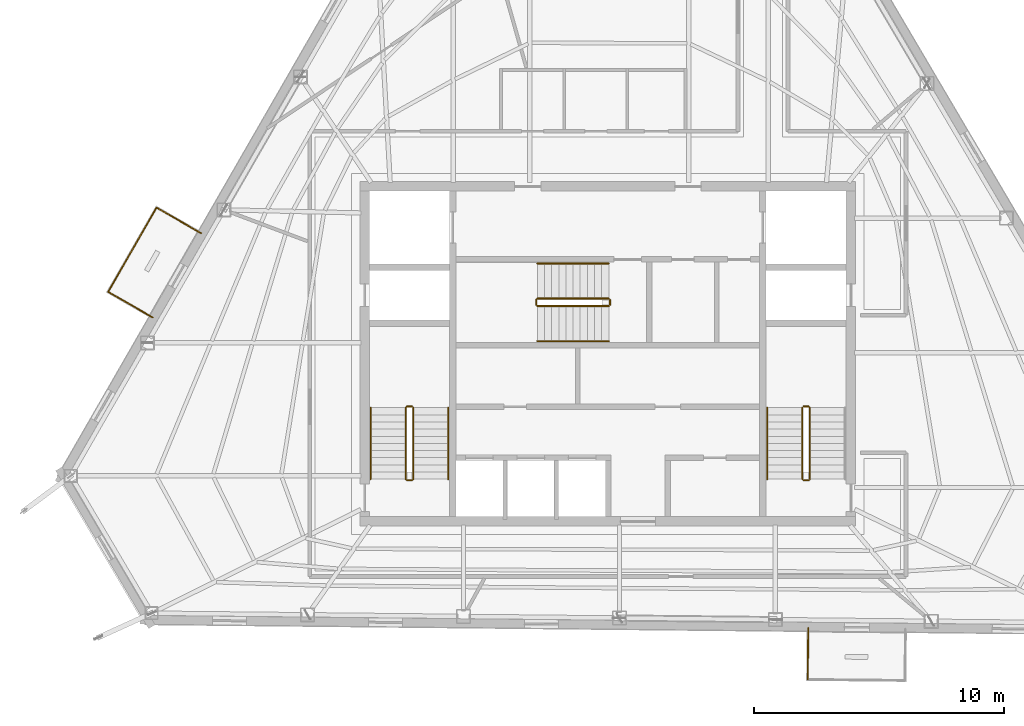
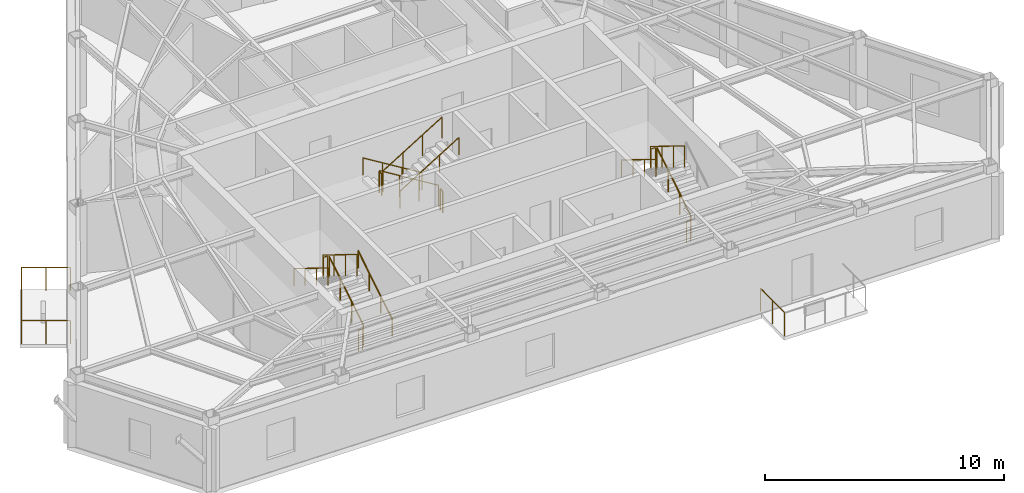
# One storey, part 10 of 11: 21 railings.
"""IFC4 building model written with IfcOpenShell, lengths in metres."""

from ifc_helpers import new_model, si_unit, direction, frame, origin, origin_2d, place, context, subcontext, project, spatial, circle, extrude, material, type_object, element, save


model = new_model("IFC4")

# Units and contexts
model_context = context("Model", 3, precision=1e-05, world=origin(), true_north=direction((0.0, 1.0)))
body_context = subcontext(model_context, "Body", "Model", "MODEL_VIEW")
ifc_project = project(units=[si_unit("LENGTHUNIT", "METRE"), si_unit("AREAUNIT", "SQUARE_METRE"), si_unit("VOLUMEUNIT", "CUBIC_METRE"), si_unit("PLANEANGLEUNIT", "RADIAN"), si_unit("MASSUNIT", "GRAM", prefix="KILO")], contexts=[model_context])

# Site, building, storey
site_placement = place(None, origin())
site = spatial("IfcSite", under=ifc_project, at=site_placement, CompositionType="ELEMENT")
building_placement = place(site_placement, origin())
building = spatial("IfcBuilding", under=site, at=building_placement, Name="Kavelnor Concourse Tower", CompositionType="ELEMENT")
storey_placement = place(building_placement, frame((0.0, 0.0, 262.60009765625)))
storey = spatial("IfcBuildingStorey", under=building, at=storey_placement, Name="L66", CompositionType="ELEMENT", Elevation=262.60009765625)

# Railings
ifc_material_1 = material(Name="Steel Grade 350", Category="steel")
railing_type_1 = type_object("IfcRailingType", Name="RLG-GUARD-1100", PredefinedType="GUARDRAIL", material=ifc_material_1)
railing_1_placement = place(storey_placement, frame((30.22998046875, 11.10009765625, 0.1748046875)))
element("IfcRailing", 1, at=railing_1_placement, inside=storey, type_object=railing_type_1, Name="L66 ST1 stair guard 1", PredefinedType="GUARDRAIL", context=body_context, shape_type="SweptSolid", body=[
    extrude(circle(Radius=0.02392578125, at=origin_2d()), frame((0.0, 0.0, 1.076171875), z_axis=(0.0, 0.852159232446, 0.523282564737), x_axis=(-1.0, 0.0, 0.0)), (0.0, 0.0, 1.0), 3.34423828125),
    extrude(circle(Radius=0.02099609375, at=origin_2d()), origin(), (0.0, 0.0, 1.0), 1.052001953125),
    extrude(circle(Radius=0.02099609375, at=origin_2d()), frame((0.0, 0.949951171875, 0.583251953125)), (0.0, 0.0, 1.0), 1.052001953125),
    extrude(circle(Radius=0.02099609375, at=origin_2d()), frame((0.0, 1.89990234375, 1.166748046875)), (0.0, 0.0, 1.0), 1.052001953125),
    extrude(circle(Radius=0.02099609375, at=origin_2d()), frame((0.0, 2.849853515625, 1.75)), (0.0, 0.0, 1.0), 1.052001953125),
])
railing_2_placement = place(storey_placement, frame((30.179931640625, 14.0, 1.9248046875)))
element("IfcRailing", 2, at=railing_2_placement, inside=storey, type_object=railing_type_1, Name="L66 ST1 stair guard 2", PredefinedType="GUARDRAIL", context=body_context, shape_type="SweptSolid", body=[
    extrude(circle(Radius=0.02392578125, at=origin_2d()), frame((0.0, 0.0, 1.076171875), z_axis=(-1.0, 0.0, 0.0), x_axis=(0.0, -1.0, 0.0)), (0.0, 0.0, 1.0), 0.199951171875),
    extrude(circle(Radius=0.02099609375, at=origin_2d()), origin(), (0.0, 0.0, 1.0), 1.052001953125),
    extrude(circle(Radius=0.02099609375, at=origin_2d()), frame((-0.199951171875, 0.0, 0.0)), (0.0, 0.0, 1.0), 1.052001953125),
])
railing_3_placement = place(storey_placement, frame((29.929931640625, 13.949951171875, 2.099853515625)))
element("IfcRailing", 3, at=railing_3_placement, inside=storey, type_object=railing_type_1, Name="L66 ST1 stair guard 3", PredefinedType="GUARDRAIL", context=body_context, shape_type="SweptSolid", body=[
    extrude(circle(Radius=0.02392578125, at=origin_2d()), frame((0.0, 0.0, 1.076171875), z_axis=(0.0, -0.852159232446, 0.523282564737), x_axis=(1.0, 0.0, 0.0)), (0.0, 0.0, 1.0), 3.34423828125),
    extrude(circle(Radius=0.02099609375, at=origin_2d()), origin(), (0.0, 0.0, 1.0), 1.052001953125),
    extrude(circle(Radius=0.02099609375, at=origin_2d()), frame((0.0, -0.949951171875, 0.583251953125)), (0.0, 0.0, 1.0), 1.052001953125),
    extrude(circle(Radius=0.02099609375, at=origin_2d()), frame((0.0, -1.89990234375, 1.166748046875)), (0.0, 0.0, 1.0), 1.052001953125),
    extrude(circle(Radius=0.02099609375, at=origin_2d()), frame((0.0, -2.849853515625, 1.75)), (0.0, 0.0, 1.0), 1.052001953125),
])
railing_4_placement = place(storey_placement, frame((30.179931640625, 11.050048828125, 0.0)))
element("IfcRailing", 4, at=railing_4_placement, inside=storey, type_object=railing_type_1, Name="L66 ST1 stair guard 4", PredefinedType="GUARDRAIL", context=body_context, shape_type="SweptSolid", body=[
    extrude(circle(Radius=0.02392578125, at=origin_2d()), frame((0.0, 0.0, 1.076171875), z_axis=(-1.0, 0.0, 0.0), x_axis=(0.0, -1.0, 0.0)), (0.0, 0.0, 1.0), 0.199951171875),
    extrude(circle(Radius=0.02099609375, at=origin_2d()), origin(), (0.0, 0.0, 1.0), 1.052001953125),
    extrude(circle(Radius=0.02099609375, at=origin_2d()), frame((-0.199951171875, 0.0, 0.0)), (0.0, 0.0, 1.0), 1.052001953125),
])
railing_5_placement = place(storey_placement, frame((46.070068359375, 11.10009765625, 0.1748046875)))
element("IfcRailing", 5, at=railing_5_placement, inside=storey, type_object=railing_type_1, Name="L66 ST2 stair guard 1", PredefinedType="GUARDRAIL", context=body_context, shape_type="SweptSolid", body=[
    extrude(circle(Radius=0.02392578125, at=origin_2d()), frame((0.0, 0.0, 1.076171875), z_axis=(0.0, 0.852159232446, 0.523282564737), x_axis=(-1.0, 0.0, 0.0)), (0.0, 0.0, 1.0), 3.34423828125),
    extrude(circle(Radius=0.02099609375, at=origin_2d()), origin(), (0.0, 0.0, 1.0), 1.052001953125),
    extrude(circle(Radius=0.02099609375, at=origin_2d()), frame((0.0, 0.949951171875, 0.583251953125)), (0.0, 0.0, 1.0), 1.052001953125),
    extrude(circle(Radius=0.02099609375, at=origin_2d()), frame((0.0, 1.89990234375, 1.166748046875)), (0.0, 0.0, 1.0), 1.052001953125),
    extrude(circle(Radius=0.02099609375, at=origin_2d()), frame((0.0, 2.849853515625, 1.75)), (0.0, 0.0, 1.0), 1.052001953125),
])
railing_6_placement = place(storey_placement, frame((46.02001953125, 14.0, 1.9248046875)))
element("IfcRailing", 6, at=railing_6_placement, inside=storey, type_object=railing_type_1, Name="L66 ST2 stair guard 2", PredefinedType="GUARDRAIL", context=body_context, shape_type="SweptSolid", body=[
    extrude(circle(Radius=0.02392578125, at=origin_2d()), frame((0.0, 0.0, 1.076171875), z_axis=(-1.0, 0.0, 0.0), x_axis=(0.0, -1.0, 0.0)), (0.0, 0.0, 1.0), 0.199951171875),
    extrude(circle(Radius=0.02099609375, at=origin_2d()), origin(), (0.0, 0.0, 1.0), 1.052001953125),
    extrude(circle(Radius=0.02099609375, at=origin_2d()), frame((-0.199951171875, 0.0, 0.0)), (0.0, 0.0, 1.0), 1.052001953125),
])
railing_7_placement = place(storey_placement, frame((45.77001953125, 13.949951171875, 2.099853515625)))
element("IfcRailing", 7, at=railing_7_placement, inside=storey, type_object=railing_type_1, Name="L66 ST2 stair guard 3", PredefinedType="GUARDRAIL", context=body_context, shape_type="SweptSolid", body=[
    extrude(circle(Radius=0.02392578125, at=origin_2d()), frame((0.0, 0.0, 1.076171875), z_axis=(0.0, -0.852159232446, 0.523282564737), x_axis=(1.0, 0.0, 0.0)), (0.0, 0.0, 1.0), 3.34423828125),
    extrude(circle(Radius=0.02099609375, at=origin_2d()), origin(), (0.0, 0.0, 1.0), 1.052001953125),
    extrude(circle(Radius=0.02099609375, at=origin_2d()), frame((0.0, -0.949951171875, 0.583251953125)), (0.0, 0.0, 1.0), 1.052001953125),
    extrude(circle(Radius=0.02099609375, at=origin_2d()), frame((0.0, -1.89990234375, 1.166748046875)), (0.0, 0.0, 1.0), 1.052001953125),
    extrude(circle(Radius=0.02099609375, at=origin_2d()), frame((0.0, -2.849853515625, 1.75)), (0.0, 0.0, 1.0), 1.052001953125),
])
railing_8_placement = place(storey_placement, frame((46.02001953125, 11.050048828125, 0.0)))
element("IfcRailing", 8, at=railing_8_placement, inside=storey, type_object=railing_type_1, Name="L66 ST2 stair guard 4", PredefinedType="GUARDRAIL", context=body_context, shape_type="SweptSolid", body=[
    extrude(circle(Radius=0.02392578125, at=origin_2d()), frame((0.0, 0.0, 1.076171875), z_axis=(-1.0, 0.0, 0.0), x_axis=(0.0, -1.0, 0.0)), (0.0, 0.0, 1.0), 0.199951171875),
    extrude(circle(Radius=0.02099609375, at=origin_2d()), origin(), (0.0, 0.0, 1.0), 1.052001953125),
    extrude(circle(Radius=0.02099609375, at=origin_2d()), frame((-0.199951171875, 0.0, 0.0)), (0.0, 0.0, 1.0), 1.052001953125),
])
railing_9_placement = place(storey_placement, frame((38.0400390625, 18.31005859375, 0.1748046875)))
element("IfcRailing", 9, at=railing_9_placement, inside=storey, type_object=railing_type_1, Name="L66 ST3 stair guard 1", PredefinedType="GUARDRAIL", context=body_context, shape_type="SweptSolid", body=[
    extrude(circle(Radius=0.02392578125, at=origin_2d()), frame((0.0, 0.0, 1.076171875), z_axis=(-0.852179220489, 0.0, 0.52325001306), x_axis=(0.0, -1.0, 0.0)), (0.0, 0.0, 1.0), 3.344482421875),
    extrude(circle(Radius=0.02099609375, at=origin_2d()), origin(), (0.0, 0.0, 1.0), 1.052001953125),
    extrude(circle(Radius=0.02099609375, at=origin_2d()), frame((-0.949951171875, 0.0, 0.583251953125)), (0.0, 0.0, 1.0), 1.052001953125),
    extrude(circle(Radius=0.02099609375, at=origin_2d()), frame((-1.900146484375, 0.0, 1.166748046875)), (0.0, 0.0, 1.0), 1.052001953125),
    extrude(circle(Radius=0.02099609375, at=origin_2d()), frame((-2.85009765625, 0.0, 1.75)), (0.0, 0.0, 1.0), 1.052001953125),
])
railing_10_placement = place(storey_placement, frame((35.139892578125, 18.260009765625, 1.9248046875)))
element("IfcRailing", 10, at=railing_10_placement, inside=storey, type_object=railing_type_1, Name="L66 ST3 stair guard 2", PredefinedType="GUARDRAIL", context=body_context, shape_type="SweptSolid", body=[
    extrude(circle(Radius=0.02392578125, at=origin_2d()), frame((0.0, 0.0, 1.076171875), z_axis=(0.0, -1.0, 0.0), x_axis=(1.0, 0.0, 0.0)), (0.0, 0.0, 1.0), 0.199951171875),
    extrude(circle(Radius=0.02099609375, at=origin_2d()), origin(), (0.0, 0.0, 1.0), 1.052001953125),
    extrude(circle(Radius=0.02099609375, at=origin_2d()), frame((0.0, -0.199951171875, 0.0)), (0.0, 0.0, 1.0), 1.052001953125),
])
railing_11_placement = place(storey_placement, frame((35.18994140625, 18.010009765625, 2.099853515625)))
element("IfcRailing", 11, at=railing_11_placement, inside=storey, type_object=railing_type_1, Name="L66 ST3 stair guard 3", PredefinedType="GUARDRAIL", context=body_context, shape_type="SweptSolid", body=[
    extrude(circle(Radius=0.02392578125, at=origin_2d()), frame((0.0, 0.0, 1.076171875), z_axis=(0.852179220489, 0.0, 0.52325001306), x_axis=(0.0, 1.0, 0.0)), (0.0, 0.0, 1.0), 3.344482421875),
    extrude(circle(Radius=0.02099609375, at=origin_2d()), origin(), (0.0, 0.0, 1.0), 1.052001953125),
    extrude(circle(Radius=0.02099609375, at=origin_2d()), frame((0.949951171875, 0.0, 0.583251953125)), (0.0, 0.0, 1.0), 1.052001953125),
    extrude(circle(Radius=0.02099609375, at=origin_2d()), frame((1.900146484375, 0.0, 1.166748046875)), (0.0, 0.0, 1.0), 1.052001953125),
    extrude(circle(Radius=0.02099609375, at=origin_2d()), frame((2.85009765625, 0.0, 1.75)), (0.0, 0.0, 1.0), 1.052001953125),
])
railing_12_placement = place(storey_placement, frame((38.090087890625, 18.260009765625, 0.0)))
element("IfcRailing", 12, at=railing_12_placement, inside=storey, type_object=railing_type_1, Name="L66 ST3 stair guard 4", PredefinedType="GUARDRAIL", context=body_context, shape_type="SweptSolid", body=[
    extrude(circle(Radius=0.02392578125, at=origin_2d()), frame((0.0, 0.0, 1.076171875), z_axis=(0.0, -1.0, 0.0), x_axis=(1.0, 0.0, 0.0)), (0.0, 0.0, 1.0), 0.199951171875),
    extrude(circle(Radius=0.02099609375, at=origin_2d()), origin(), (0.0, 0.0, 1.0), 1.052001953125),
    extrude(circle(Radius=0.02099609375, at=origin_2d()), frame((0.0, -0.199951171875, 0.0)), (0.0, 0.0, 1.0), 1.052001953125),
])
railing_type_2 = type_object("IfcRailingType", Name="RLG-HANDRAIL-900", PredefinedType="HANDRAIL", material=ifc_material_1)
railing_13_placement = place(storey_placement, frame((31.6298828125, 11.10009765625, 0.1748046875)))
element("IfcRailing", 13, at=railing_13_placement, inside=storey, type_object=railing_type_2, Name="L66 ST1 stair handrail 1", PredefinedType="HANDRAIL", context=body_context, shape_type="SweptSolid", body=[
    extrude(circle(Radius=0.02392578125, at=origin_2d()), frame((0.0, 0.0, 0.8759765625), z_axis=(0.0, 0.852159232446, 0.523282564737), x_axis=(-1.0, 0.0, 0.0)), (0.0, 0.0, 1.0), 3.34423828125),
    extrude(circle(Radius=0.02099609375, at=origin_2d()), origin(), (0.0, 0.0, 1.0), 0.851806640625),
    extrude(circle(Radius=0.02099609375, at=origin_2d()), frame((0.0, 0.949951171875, 0.583251953125)), (0.0, 0.0, 1.0), 0.851806640625),
    extrude(circle(Radius=0.02099609375, at=origin_2d()), frame((0.0, 1.89990234375, 1.166748046875)), (0.0, 0.0, 1.0), 0.851806640625),
    extrude(circle(Radius=0.02099609375, at=origin_2d()), frame((0.0, 2.849853515625, 1.75)), (0.0, 0.0, 1.0), 0.851806640625),
])
for number, where, name in (
    (14, (28.530029296875, 13.949951171875, 2.099853515625), "L66 ST1 stair handrail 2"),
    (15, (44.3701171875, 13.949951171875, 2.099853515625), "L66 ST2 stair handrail 2"),
):
    element("IfcRailing", number, at=place(storey_placement, frame(where)), inside=storey, type_object=railing_type_2, Name=name, PredefinedType="HANDRAIL", context=body_context, shape_type="SweptSolid", body=[
        extrude(circle(Radius=0.02392578125, at=origin_2d()), frame((0.0, 0.0, 0.8759765625), z_axis=(0.0, -0.852159232446, 0.523282564737), x_axis=(1.0, 0.0, 0.0)), (0.0, 0.0, 1.0), 3.34423828125),
        extrude(circle(Radius=0.02099609375, at=origin_2d()), origin(), (0.0, 0.0, 1.0), 0.851806640625),
        extrude(circle(Radius=0.02099609375, at=origin_2d()), frame((0.0, -0.949951171875, 0.583251953125)), (0.0, 0.0, 1.0), 0.851806640625),
        extrude(circle(Radius=0.02099609375, at=origin_2d()), frame((0.0, -1.89990234375, 1.166748046875)), (0.0, 0.0, 1.0), 0.851806640625),
        extrude(circle(Radius=0.02099609375, at=origin_2d()), frame((0.0, -2.849853515625, 1.75)), (0.0, 0.0, 1.0), 0.851806640625),
    ])
railing_14_placement = place(storey_placement, frame((38.0400390625, 19.7099609375, 0.1748046875)))
element("IfcRailing", 16, at=railing_14_placement, inside=storey, type_object=railing_type_2, Name="L66 ST3 stair handrail 1", PredefinedType="HANDRAIL", context=body_context, shape_type="SweptSolid", body=[
    extrude(circle(Radius=0.02392578125, at=origin_2d()), frame((0.0, 0.0, 0.8759765625), z_axis=(-0.852179220489, 0.0, 0.52325001306), x_axis=(0.0, -1.0, 0.0)), (0.0, 0.0, 1.0), 3.344482421875),
    extrude(circle(Radius=0.02099609375, at=origin_2d()), origin(), (0.0, 0.0, 1.0), 0.851806640625),
    extrude(circle(Radius=0.02099609375, at=origin_2d()), frame((-0.949951171875, 0.0, 0.583251953125)), (0.0, 0.0, 1.0), 0.851806640625),
    extrude(circle(Radius=0.02099609375, at=origin_2d()), frame((-1.900146484375, 0.0, 1.166748046875)), (0.0, 0.0, 1.0), 0.851806640625),
    extrude(circle(Radius=0.02099609375, at=origin_2d()), frame((-2.85009765625, 0.0, 1.75)), (0.0, 0.0, 1.0), 0.851806640625),
])
railing_15_placement = place(storey_placement, frame((35.18994140625, 16.610107421875, 2.099853515625)))
element("IfcRailing", 17, at=railing_15_placement, inside=storey, type_object=railing_type_2, Name="L66 ST3 stair handrail 2", PredefinedType="HANDRAIL", context=body_context, shape_type="SweptSolid", body=[
    extrude(circle(Radius=0.02392578125, at=origin_2d()), frame((0.0, 0.0, 0.8759765625), z_axis=(0.852179220489, 0.0, 0.52325001306), x_axis=(0.0, 1.0, 0.0)), (0.0, 0.0, 1.0), 3.344482421875),
    extrude(circle(Radius=0.02099609375, at=origin_2d()), origin(), (0.0, 0.0, 1.0), 0.851806640625),
    extrude(circle(Radius=0.02099609375, at=origin_2d()), frame((0.949951171875, 0.0, 0.583251953125)), (0.0, 0.0, 1.0), 0.851806640625),
    extrude(circle(Radius=0.02099609375, at=origin_2d()), frame((1.900146484375, 0.0, 1.166748046875)), (0.0, 0.0, 1.0), 0.851806640625),
    extrude(circle(Radius=0.02099609375, at=origin_2d()), frame((2.85009765625, 0.0, 1.75)), (0.0, 0.0, 1.0), 0.851806640625),
])
ifc_material_2 = material(Name="Architectural bronze-anodised aluminium", Category="aluminium")
railing_type_3 = type_object("IfcRailingType", Name="RLG-TERRACE-1200", PredefinedType="BALUSTRADE", material=ifc_material_2)
railing_16_placement = place(storey_placement, frame((21.756103515625, 20.91943359375, 0.0)))
element("IfcRailing", 18, at=railing_16_placement, inside=storey, type_object=railing_type_3, Name="L66 Tree Balcony 1 Guardrail L", PredefinedType="BALUSTRADE", context=body_context, shape_type="SweptSolid", body=[
    extrude(circle(Radius=0.02392578125, at=origin_2d()), frame((0.0, 0.0, 1.17578125), z_axis=(-0.866744150283, 0.498753022999, 0.0), x_axis=(-0.498753022999, -0.866744150283, 0.0)), (0.0, 0.0, 1.0), 2.050048828125),
    extrude(circle(Radius=0.02099609375, at=origin_2d()), origin(), (0.0, 0.0, 1.0), 1.15185546875),
    extrude(circle(Radius=0.02099609375, at=origin_2d()), frame((-0.888427734375, 0.51123046875, 0.0)), (0.0, 0.0, 1.0), 1.15185546875),
    extrude(circle(Radius=0.02099609375, at=origin_2d()), frame((-1.77685546875, 1.0224609375, 0.0)), (0.0, 0.0, 1.0), 1.15185546875),
])
railing_17_placement = place(storey_placement, frame((19.979248046875, 21.94189453125, 0.0)))
element("IfcRailing", 19, at=railing_17_placement, inside=storey, type_object=railing_type_3, Name="L66 Tree Balcony 1 Guardrail F", PredefinedType="BALUSTRADE", context=body_context, shape_type="SweptSolid", body=[
    extrude(circle(Radius=0.02392578125, at=origin_2d()), frame((0.0, 0.0, 1.17578125), z_axis=(-0.498725276235, -0.86676011609, 0.0), x_axis=(0.86676011609, -0.498725276235, 0.0)), (0.0, 0.0, 1.0), 3.880126953125),
    extrude(circle(Radius=0.02099609375, at=origin_2d()), origin(), (0.0, 0.0, 1.0), 1.15185546875),
    extrude(circle(Radius=0.02099609375, at=origin_2d()), frame((-0.48388671875, -0.8408203125, 0.0)), (0.0, 0.0, 1.0), 1.15185546875),
    extrude(circle(Radius=0.02099609375, at=origin_2d()), frame((-0.967529296875, -1.681640625, 0.0)), (0.0, 0.0, 1.0), 1.15185546875),
    extrude(circle(Radius=0.02099609375, at=origin_2d()), frame((-1.451171875, -2.522216796875, 0.0)), (0.0, 0.0, 1.0), 1.15185546875),
    extrude(circle(Radius=0.02099609375, at=origin_2d()), frame((-1.93505859375, -3.363037109375, 0.0)), (0.0, 0.0, 1.0), 1.15185546875),
])
railing_18_placement = place(storey_placement, frame((18.044189453125, 18.578857421875, 0.0)))
element("IfcRailing", 20, at=railing_18_placement, inside=storey, type_object=railing_type_3, Name="L66 Tree Balcony 1 Guardrail R", PredefinedType="BALUSTRADE", context=body_context, shape_type="SweptSolid", body=[
    extrude(circle(Radius=0.02392578125, at=origin_2d()), frame((0.0, 0.0, 1.17578125), z_axis=(0.866773770123, -0.498701545442, 0.0), x_axis=(0.498701545442, 0.866773770123, 0.0)), (0.0, 0.0, 1.0), 2.05029296875),
    extrude(circle(Radius=0.02099609375, at=origin_2d()), origin(), (0.0, 0.0, 1.0), 1.15185546875),
    extrude(circle(Radius=0.02099609375, at=origin_2d()), frame((0.888671875, -0.51123046875, 0.0)), (0.0, 0.0, 1.0), 1.15185546875),
    extrude(circle(Radius=0.02099609375, at=origin_2d()), frame((1.777099609375, -1.0224609375, 0.0)), (0.0, 0.0, 1.0), 1.15185546875),
])
railing_19_placement = place(storey_placement, frame((46.0048828125, 5.15283203125, 0.0)))
element("IfcRailing", 21, at=railing_19_placement, inside=storey, type_object=railing_type_3, Name="L66 Tree Balcony 2 Guardrail L", PredefinedType="BALUSTRADE", context=body_context, shape_type="SweptSolid", body=[
    extrude(circle(Radius=0.02392578125, at=origin_2d()), frame((0.0, 0.0, 1.17578125), z_axis=(-0.0103602871, -0.999946330785, 0.0), x_axis=(0.999946330785, -0.0103602871, 0.0)), (0.0, 0.0, 1.0), 2.050048828125),
    extrude(circle(Radius=0.02099609375, at=origin_2d()), origin(), (0.0, 0.0, 1.0), 1.15185546875),
    extrude(circle(Radius=0.02099609375, at=origin_2d()), frame((-0.0107421875, -1.02490234375, 0.0)), (0.0, 0.0, 1.0), 1.15185546875),
    extrude(circle(Radius=0.02099609375, at=origin_2d()), frame((-0.021240234375, -2.050048828125, 0.0)), (0.0, 0.0, 1.0), 1.15185546875),
])

save(model, "model.ifc")
